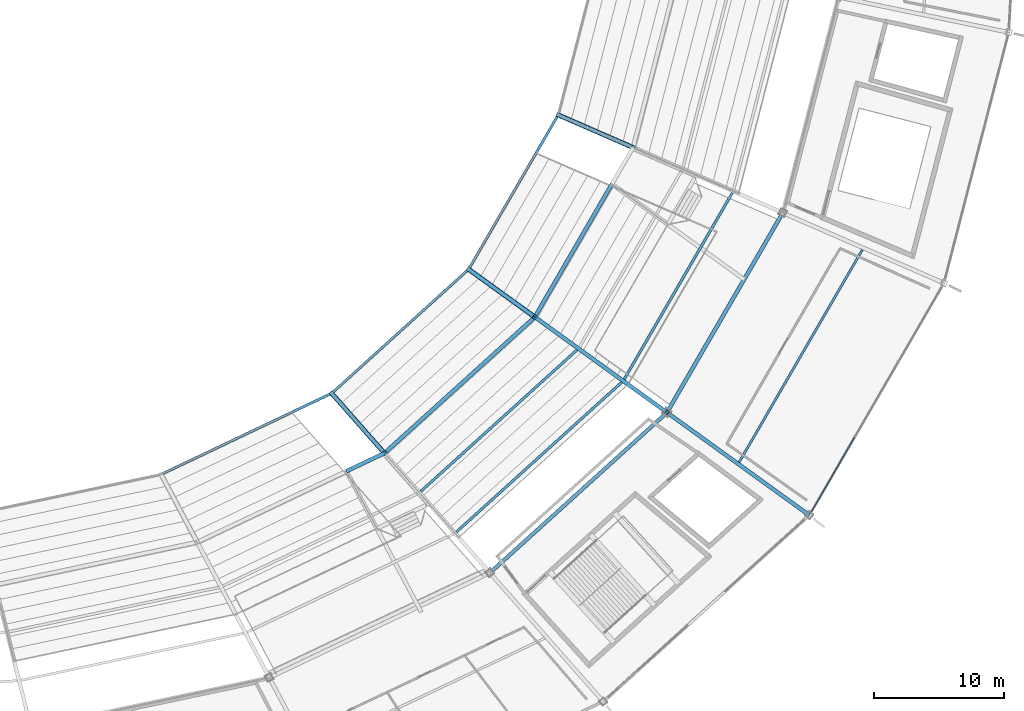
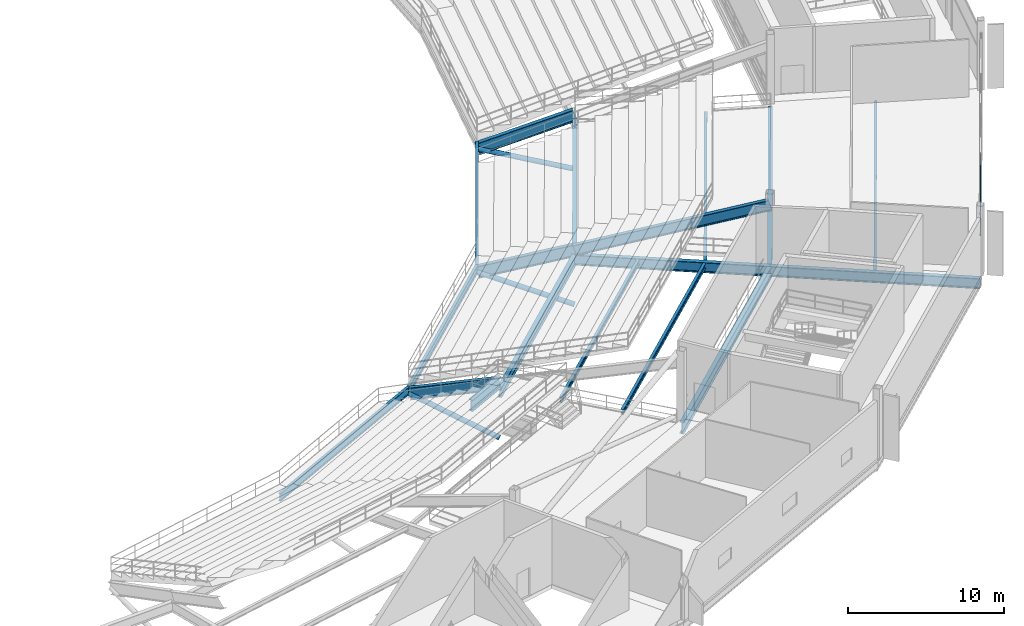
# One storey, part 60 of 186: 18 beams, 5 members, 1 element without a shape of its own.
"""IFC4 building model written with IfcOpenShell, lengths in metres."""

from ifc_helpers import new_model, si_unit, direction, frame, origin, origin_2d, place, context, subcontext, project, spatial, hollow_rectangle, hollow_circle, i_section, extrude, material, layer, layer_set, material_profile, profile_set, type_object, element, aggregate, save


model = new_model("IFC4")

# Units and contexts
model_context = context("Model", 3, precision=1e-05, world=origin(), true_north=direction((0.0, 1.0)))
body_context = subcontext(model_context, "Body", "Model", "MODEL_VIEW")
ifc_project = project(units=[si_unit("LENGTHUNIT", "METRE"), si_unit("AREAUNIT", "SQUARE_METRE"), si_unit("VOLUMEUNIT", "CUBIC_METRE"), si_unit("PLANEANGLEUNIT", "RADIAN"), si_unit("MASSUNIT", "GRAM", prefix="KILO")], contexts=[model_context])

# Site, building, storey
site_placement = place(None, origin())
site = spatial("IfcSite", under=ifc_project, at=site_placement, CompositionType="ELEMENT")
building_placement = place(site_placement, origin())
building = spatial("IfcBuilding", under=site, at=building_placement, Name="Kazemori Nagisa Stadium", CompositionType="ELEMENT")
storey_placement = place(building_placement, frame((0.0, 0.0, 20.39990234375)))
storey = spatial("IfcBuildingStorey", under=building, at=storey_placement, Name="L04", CompositionType="ELEMENT", Elevation=20.39990234375)

# Beams
ifc_material_1 = material(Name="Steel SN490B", Category="steel")
ifc_material_profile_1 = material_profile(ifc_material_1, i_section(OverallWidth=0.300048828125, OverallDepth=0.800048828125, WebThickness=0.013916015625, FlangeThickness=0.02587890625, FilletRadius=0.01806640625, at=origin_2d()), Name="H-800x300x14x26")
ifc_profile_set_1 = profile_set([ifc_material_profile_1], Name="Steel SN490B")
beam_type_1 = type_object("IfcBeamType", Name="Beam_BG-H800", PredefinedType="BEAM", material=ifc_profile_set_1)
beam_1_placement = place(storey_placement, frame((168.696533203125, 50.126953125, -0.699951171875), z_axis=(0.741349160152, 0.6711195294, 0.0), x_axis=(-0.6711195294, 0.741349160152, 0.0)))
element("IfcBeam", 1, at=beam_1_placement, inside=storey, type_object=beam_type_1, Name="Ring girder BG-H800 L04 R1-25", PredefinedType="BEAM", context=body_context, shape_type="SweptSolid", body=[
    extrude(i_section(OverallWidth=0.300048828125, OverallDepth=0.800048828125, WebThickness=0.013916015625, FlangeThickness=0.02587890625, FilletRadius=0.01806640625, at=origin_2d()), origin(), (0.0, 0.0, 1.0), 15.65380859375),
])
beam_2_placement = place(storey_placement, frame((180.301513671875, 60.632568359375, -0.699951171875), z_axis=(0.501613453924, 0.865091869597, 0.0), x_axis=(-0.865091869597, 0.501613453924, 0.0)))
element("IfcBeam", 2, at=beam_2_placement, inside=storey, type_object=beam_type_1, Name="Ring girder BG-H800 L04 R1-26", PredefinedType="BEAM", context=body_context, shape_type="SweptSolid", body=[
    extrude(i_section(OverallWidth=0.300048828125, OverallDepth=0.800048828125, WebThickness=0.013916015625, FlangeThickness=0.02587890625, FilletRadius=0.01806640625, at=origin_2d()), origin(), (0.0, 0.0, 1.0), 15.1201171875),
])
beam_3_placement = place(storey_placement, frame((180.301513671875, 60.632568359375, -0.699951171875), z_axis=(0.810802996314, -0.585319144714, 0.0), x_axis=(0.585319144714, 0.810802996314, 0.0)))
element("IfcBeam", 3, at=beam_3_placement, inside=storey, type_object=beam_type_1, Name="Radial girder BG-H800 L04 R1-R2-26", PredefinedType="BEAM", context=body_context, shape_type="SweptSolid", body=[
    extrude(i_section(OverallWidth=0.300048828125, OverallDepth=0.800048828125, WebThickness=0.013916015625, FlangeThickness=0.02587890625, FilletRadius=0.01806640625, at=origin_2d()), origin(), (0.0, 0.0, 1.0), 12.585693359375),
])
beam_4_placement = place(storey_placement, frame((190.506103515625, 53.265869140625, -0.699951171875), z_axis=(0.810787509935, -0.585340596349, 0.0), x_axis=(0.585340596349, 0.810787509935, 0.0)))
element("IfcBeam", 4, at=beam_4_placement, inside=storey, type_object=beam_type_1, Name="Radial girder BG-H800 L04 R2-R3-26", PredefinedType="BEAM", context=body_context, shape_type="SweptSolid", body=[
    extrude(i_section(OverallWidth=0.300048828125, OverallDepth=0.800048828125, WebThickness=0.013916015625, FlangeThickness=0.02587890625, FilletRadius=0.01806640625, at=origin_2d()), origin(), (0.0, 0.0, 1.0), 13.5537109375),
])
ifc_material_profile_2 = material_profile(ifc_material_1, i_section(OverallWidth=0.300048828125, OverallDepth=0.89990234375, WebThickness=0.01611328125, FlangeThickness=0.028076171875, FilletRadius=0.01806640625, at=origin_2d()), Name="H-900x300x16x28")
ifc_profile_set_2 = profile_set([ifc_material_profile_2], Name="Steel SN490B")
beam_type_2 = type_object("IfcBeamType", Name="Beam_BG-H900", PredefinedType="BEAM", material=ifc_profile_set_2)
beam_5_placement = place(storey_placement, frame((176.834228515625, 40.88916015625, -0.75), z_axis=(0.741349142139, 0.671119549298, 0.0), x_axis=(-0.671119549298, 0.741349142139, 0.0)))
element("IfcBeam", 5, at=beam_5_placement, inside=storey, type_object=beam_type_2, Name="Ring girder BG-H900 L04 R2-25", PredefinedType="BEAM", context=body_context, shape_type="SweptSolid", body=[
    extrude(i_section(OverallWidth=0.300048828125, OverallDepth=0.89990234375, WebThickness=0.01611328125, FlangeThickness=0.028076171875, FilletRadius=0.01806640625, at=origin_2d()), origin(), (0.0, 0.0, 1.0), 18.44189453125),
])
beam_6_placement = place(storey_placement, frame((190.506103515625, 53.265869140625, -0.75), z_axis=(0.501606704589, 0.865095783085, 0.0), x_axis=(-0.865095783085, 0.501606704589, 0.0)))
element("IfcBeam", 6, at=beam_6_placement, inside=storey, type_object=beam_type_2, Name="Ring girder BG-H900 L04 R2-26", PredefinedType="BEAM", context=body_context, shape_type="SweptSolid", body=[
    extrude(i_section(OverallWidth=0.300048828125, OverallDepth=0.89990234375, WebThickness=0.01611328125, FlangeThickness=0.028076171875, FilletRadius=0.01806640625, at=origin_2d()), origin(), (0.0, 0.0, 1.0), 17.8125),
])
ifc_material_profile_3 = material_profile(ifc_material_1, i_section(OverallWidth=0.300048828125, OverallDepth=0.89990234375, WebThickness=0.01806640625, FlangeThickness=0.031982421875, FilletRadius=0.01806640625, at=origin_2d()), Name="H-900x300x18x32")
ifc_profile_set_3 = profile_set([ifc_material_profile_3], Name="Steel SN490B")
beam_type_3 = type_object("IfcBeamType", Name="Beam_BG-TR900", PredefinedType="BEAM", material=ifc_profile_set_3)
beam_7_placement = place(storey_placement, frame((165.760986328125, 48.732177734375, 0.150146484375), z_axis=(0.903230918353, 0.429154876626, 0.0), x_axis=(-0.429154876626, 0.903230918353, 0.0)))
element("IfcBeam", 7, at=beam_7_placement, inside=storey, type_object=beam_type_3, Name="Upper vomitory inner sill girder B24", PredefinedType="BEAM", context=body_context, shape_type="SweptSolid", body=[
    extrude(i_section(OverallWidth=0.300048828125, OverallDepth=0.89990234375, WebThickness=0.01806640625, FlangeThickness=0.031982421875, FilletRadius=0.01806640625, at=origin_2d()), origin(), (0.0, 0.0, 1.0), 3.25),
])
ifc_material_profile_4 = material_profile(ifc_material_1, i_section(OverallWidth=0.175048828125, OverallDepth=0.35009765625, WebThickness=0.007080078125, FlangeThickness=0.010986328125, FilletRadius=0.012939453125, at=origin_2d()), Name="H-350x175x7x11")
ifc_profile_set_4 = profile_set([ifc_material_profile_4], Name="Steel SN490B")
beam_type_4 = type_object("IfcBeamType", Name="Beam_BJ-H350", PredefinedType="JOIST", material=ifc_profile_set_4)
beam_8_placement = place(storey_placement, frame((196.073486328125, 49.424560546875, -0.474853515625), z_axis=(0.501615441037, 0.86509071739, 0.0), x_axis=(-0.86509071739, 0.501615441037, 0.0)))
element("IfcBeam", 8, at=beam_8_placement, inside=storey, type_object=beam_type_4, Name="Outer bay joist BJ-H350 L04 B26", PredefinedType="JOIST", context=body_context, shape_type="SweptSolid", body=[
    extrude(i_section(OverallWidth=0.175048828125, OverallDepth=0.35009765625, WebThickness=0.007080078125, FlangeThickness=0.010986328125, FilletRadius=0.012939453125, at=origin_2d()), origin(), (0.0, 0.0, 1.0), 18.972412109375),
])
ifc_material_profile_5 = material_profile(ifc_material_1, i_section(OverallWidth=0.199951171875, OverallDepth=0.39990234375, WebThickness=0.008056640625, FlangeThickness=0.012939453125, FilletRadius=0.012939453125, at=origin_2d()), Name="H-400x200x8x13")
ifc_profile_set_5 = profile_set([ifc_material_profile_5], Name="Steel SN490B")
beam_type_5 = type_object("IfcBeamType", Name="Beam_BJ-H400", PredefinedType="JOIST", material=ifc_profile_set_5)
beam_9_placement = place(storey_placement, frame((171.495849609375, 47.168701171875, -0.5), z_axis=(0.741343259913, 0.671126047015, 0.0), x_axis=(-0.671126047015, 0.741343259913, 0.0)))
element("IfcBeam", 9, at=beam_9_placement, inside=storey, type_object=beam_type_5, Name="Concourse joist BJ-H400 L04 B25-1", PredefinedType="JOIST", context=body_context, shape_type="SweptSolid", body=[
    extrude(i_section(OverallWidth=0.199951171875, OverallDepth=0.39990234375, WebThickness=0.008056640625, FlangeThickness=0.012939453125, FilletRadius=0.012939453125, at=origin_2d()), origin(), (0.0, 0.0, 1.0), 16.285888671875),
])
beam_10_placement = place(storey_placement, frame((174.25, 44.042236328125, -0.5), z_axis=(0.741354140692, 0.671114027628, 0.0), x_axis=(-0.671114027628, 0.741354140692, 0.0)))
element("IfcBeam", 10, at=beam_10_placement, inside=storey, type_object=beam_type_5, Name="Concourse joist BJ-H400 L04 B25-2", PredefinedType="JOIST", context=body_context, shape_type="SweptSolid", body=[
    extrude(i_section(OverallWidth=0.199951171875, OverallDepth=0.39990234375, WebThickness=0.008056640625, FlangeThickness=0.012939453125, FilletRadius=0.012939453125, at=origin_2d()), origin(), (0.0, 0.0, 1.0), 17.2294921875),
])
beam_11_placement = place(storey_placement, frame((187.203369140625, 55.827880859375, -0.5), z_axis=(0.501611321485, 0.865093106063, 0.0), x_axis=(-0.865093106063, 0.501611321485, 0.0)))
element("IfcBeam", 11, at=beam_11_placement, inside=storey, type_object=beam_type_5, Name="Concourse joist BJ-H400 L04 B26-2", PredefinedType="JOIST", context=body_context, shape_type="SweptSolid", body=[
    extrude(i_section(OverallWidth=0.199951171875, OverallDepth=0.39990234375, WebThickness=0.008056640625, FlangeThickness=0.012939453125, FilletRadius=0.012939453125, at=origin_2d()), origin(), (0.0, 0.0, 1.0), 16.6318359375),
])
ifc_material_profile_6 = material_profile(ifc_material_1, i_section(OverallWidth=0.199951171875, OverallDepth=0.60009765625, WebThickness=0.010986328125, FlangeThickness=0.01708984375, FilletRadius=0.012939453125, at=origin_2d()), Name="H-600x200x11x17")
ifc_profile_set_6 = profile_set([ifc_material_profile_6], Name="Steel SN490B")
beam_type_6 = type_object("IfcBeamType", Name="Beam_BS-H600", PredefinedType="SPANDREL", material=ifc_profile_set_6)
beam_12_placement = place(storey_placement, frame((151.465087890625, 48.4912109375, -1.885009765625), z_axis=(0.903213541292, 0.429191447757, 0.0), x_axis=(-0.429191447757, 0.903213541292, 0.0)))
element("IfcBeam", 12, at=beam_12_placement, inside=storey, type_object=beam_type_6, Name="Upper tier front ring beam 24", PredefinedType="SPANDREL", context=body_context, shape_type="SweptSolid", body=[
    extrude(i_section(OverallWidth=0.199951171875, OverallDepth=0.60009765625, WebThickness=0.010986328125, FlangeThickness=0.01708984375, FilletRadius=0.012939453125, at=origin_2d()), origin(), (0.0, 0.0, 1.0), 14.572998046875),
])
beam_13_placement = place(storey_placement, frame((164.627685546875, 54.745849609375, -1.885009765625), z_axis=(0.7413568829, 0.671110998402, 0.0), x_axis=(-0.671110998402, 0.7413568829, 0.0)))
element("IfcBeam", 13, at=beam_13_placement, inside=storey, type_object=beam_type_6, Name="Upper tier front ring beam 25", PredefinedType="SPANDREL", context=body_context, shape_type="SweptSolid", body=[
    extrude(i_section(OverallWidth=0.199951171875, OverallDepth=0.60009765625, WebThickness=0.010986328125, FlangeThickness=0.01708984375, FilletRadius=0.012939453125, at=origin_2d()), origin(), (0.0, 0.0, 1.0), 14.260009765625),
])
beam_14_placement = place(storey_placement, frame((175.199462890625, 64.31591796875, -1.885009765625), z_axis=(0.501605611908, 0.865096416651, 0.0), x_axis=(-0.865096416651, 0.501605611908, 0.0)))
element("IfcBeam", 14, at=beam_14_placement, inside=storey, type_object=beam_type_6, Name="Upper tier front ring beam 26", PredefinedType="SPANDREL", context=body_context, shape_type="SweptSolid", body=[
    extrude(i_section(OverallWidth=0.199951171875, OverallDepth=0.60009765625, WebThickness=0.010986328125, FlangeThickness=0.01708984375, FilletRadius=0.012939453125, at=origin_2d()), origin(), (0.0, 0.0, 1.0), 13.773681640625),
])
ifc_material_profile_7 = material_profile(ifc_material_1, i_section(OverallWidth=0.300048828125, OverallDepth=0.800048828125, WebThickness=0.013916015625, FlangeThickness=0.02587890625, FilletRadius=0.01806640625, at=origin_2d()), Name="H-800x300x14x26")
ifc_profile_set_7 = profile_set([ifc_material_profile_7], Name="Steel SN490B")
beam_type_7 = type_object("IfcBeamType", Name="Beam_RK-ST800", PredefinedType="USERDEFINED", material=ifc_profile_set_7)
beam_15_placement = place(storey_placement, frame((180.301513671875, 60.632568359375, 0.02001953125), z_axis=(0.76480540319, -0.552113456047, 0.332029256096), x_axis=(0.585319144714, 0.810802996314, 0.0)))
element("IfcBeam", 15, at=beam_15_placement, inside=storey, type_object=beam_type_7, Name="Raker beam upper backspan RK3-26B", ObjectType="RAKER BEAM", PredefinedType="USERDEFINED", context=body_context, shape_type="SweptSolid", body=[
    extrude(i_section(OverallWidth=0.300048828125, OverallDepth=0.800048828125, WebThickness=0.013916015625, FlangeThickness=0.02587890625, FilletRadius=0.01806640625, at=origin_2d()), origin(), (0.0, 0.0, 1.0), 13.3427734375),
])
ifc_material_profile_8 = material_profile(ifc_material_1, i_section(OverallWidth=0.300048828125, OverallDepth=0.89990234375, WebThickness=0.01611328125, FlangeThickness=0.028076171875, FilletRadius=0.01806640625, at=origin_2d()), Name="H-900x300x16x28")
ifc_profile_set_8 = profile_set([ifc_material_profile_8], Name="Steel SN490B")
beam_type_8 = type_object("IfcBeamType", Name="Beam_RK-ST900", PredefinedType="USERDEFINED", material=ifc_profile_set_8)
beam_16_placement = place(storey_placement, frame((164.627685546875, 54.745849609375, -2.14990234375), z_axis=(0.623412293651, -0.707688538557, 0.332466606623), x_axis=(0.75037351518, 0.66101406015, 0.0)))
element("IfcBeam", 16, at=beam_16_placement, inside=storey, type_object=beam_type_8, Name="Raker beam upper cantilever RK3-25A", ObjectType="RAKER BEAM", PredefinedType="USERDEFINED", context=body_context, shape_type="SweptSolid", body=[
    extrude(i_section(OverallWidth=0.300048828125, OverallDepth=0.89990234375, WebThickness=0.01611328125, FlangeThickness=0.028076171875, FilletRadius=0.01806640625, at=origin_2d()), origin(), (0.0, 0.0, 1.0), 6.52685546875),
])
beam_17_placement = place(storey_placement, frame((175.199462890625, 64.31591796875, -2.14990234375), z_axis=(0.766497640218, -0.553361560818, 0.325994402635), x_axis=(0.585337557013, 0.810789704147, 0.0)))
element("IfcBeam", 17, at=beam_17_placement, inside=storey, type_object=beam_type_8, Name="Raker beam upper cantilever RK3-26A", ObjectType="RAKER BEAM", PredefinedType="USERDEFINED", context=body_context, shape_type="SweptSolid", body=[
    extrude(i_section(OverallWidth=0.300048828125, OverallDepth=0.89990234375, WebThickness=0.01611328125, FlangeThickness=0.028076171875, FilletRadius=0.01806640625, at=origin_2d()), origin(), (0.0, 0.0, 1.0), 6.65625),
])
beam_18_placement = place(storey_placement, frame((182.1083984375, 76.2314453125, -2.14990234375), z_axis=(0.866757582883, -0.377835251427, 0.325533124727), x_axis=(0.399601278701, 0.916689052002, 0.0)))
element("IfcBeam", 18, at=beam_18_placement, inside=storey, type_object=beam_type_8, Name="Raker beam upper cantilever RK3-27A", ObjectType="RAKER BEAM", PredefinedType="USERDEFINED", context=body_context, shape_type="SweptSolid", body=[
    extrude(i_section(OverallWidth=0.300048828125, OverallDepth=0.89990234375, WebThickness=0.01611328125, FlangeThickness=0.028076171875, FilletRadius=0.01806640625, at=origin_2d()), origin(), (0.0, 0.0, 1.0), 6.665771484375),
])

# Members
ifc_material_2 = material(Name="Steel STK490", Category="steel")
ifc_material_profile_9 = material_profile(ifc_material_2, hollow_circle(Radius=0.177734375, WallThickness=0.0126953125, at=origin_2d()), Name="CHS-355.6x12.7")
ifc_profile_set_9 = profile_set([ifc_material_profile_9], Name="Steel STK490")
member_type_1 = type_object("IfcMemberType", Name="Member_TB-CHS355", PredefinedType="BRACE", material=ifc_profile_set_9)
member_1_placement = place(storey_placement, frame((168.696533203125, 50.126953125, -4.25), z_axis=(-0.625605483799, 0.710178216008, 0.322900418315), x_axis=(-0.75037351518, -0.66101406015, 0.0)))
element("IfcMember", 19, at=member_1_placement, inside=storey, type_object=member_type_1, Name="Upper tier cantilever truss strut UT-25", PredefinedType="BRACE", context=body_context, shape_type="SweptSolid", body=[
    extrude(hollow_circle(Radius=0.177734375, WallThickness=0.0126953125, at=origin_2d()), origin(), (0.0, 0.0, 1.0), 6.50390625),
])
member_2_placement = place(storey_placement, frame((180.301513671875, 60.632568359375, -4.25), z_axis=(-0.769089714942, 0.555232870577, 0.316571429224), x_axis=(-0.585337557013, -0.810789704147, 0.0)))
element("IfcMember", 20, at=member_2_placement, inside=storey, type_object=member_type_1, Name="Upper tier cantilever truss strut UT-26", PredefinedType="BRACE", context=body_context, shape_type="SweptSolid", body=[
    extrude(hollow_circle(Radius=0.177734375, WallThickness=0.0126953125, at=origin_2d()), origin(), (0.0, 0.0, 1.0), 6.6337890625),
])
member_3_placement = place(storey_placement, frame((187.885986328125, 73.712890625, -4.25), z_axis=(-0.869680376802, 0.379109349972, 0.316120456423), x_axis=(-0.399601278701, -0.916689052002, 0.0)))
element("IfcMember", 21, at=member_3_placement, inside=storey, type_object=member_type_1, Name="Upper tier cantilever truss strut UT-27", PredefinedType="BRACE", context=body_context, shape_type="SweptSolid", body=[
    extrude(hollow_circle(Radius=0.177734375, WallThickness=0.0126953125, at=origin_2d()), origin(), (0.0, 0.0, 1.0), 6.643310546875),
])

# Curtain wall, members
ifc_material_3 = material(Name="Anodised aluminium 6063-T5", Category="aluminium")
ifc_layer = layer(ifc_material_3, 0.179931640625, Name="Anodised aluminium 6063-T5", Category="aluminium")
ifc_layer_set = layer_set([ifc_layer], Name="Anodised aluminium 6063-T5")
curtain_wall_type = type_object("IfcCurtainWallType", Name="CW_L04R3_101", PredefinedType="USERDEFINED", material=ifc_layer_set)
curtain_wall_placement = place(storey_placement, origin())
curtain_wall = element("IfcCurtainWall", 22, at=curtain_wall_placement, inside=storey, type_object=curtain_wall_type, Name="Unitised curtain wall CW-L04R3-101 L04", ObjectType="UNITISED CURTAIN WALL", PredefinedType="USERDEFINED")
ifc_material_4 = material(Name="Aluminium 6063-T5 anodised", Category="aluminium")
ifc_material_profile_10 = material_profile(ifc_material_4, hollow_rectangle(XDim=0.070068359375, YDim=0.139892578125, WallThickness=0.00390625, at=origin_2d()), Name="ALU-TRAN-70x140x4")
ifc_profile_set_10 = profile_set([ifc_material_profile_10], Name="Aluminium 6063-T5 anodised")
member_type_2 = type_object("IfcMemberType", Name="Transom_T01", PredefinedType="USERDEFINED", material=ifc_profile_set_10)
member_4_placement = place(storey_placement, frame((201.63330078125, 45.5703125, 2.80859375), z_axis=(0.50161984125, 0.865088165948, 0.0), x_axis=(-0.865088165948, 0.50161984125, 0.0)))
member_4 = element("IfcMember", 23, at=member_4_placement, type_object=member_type_2, Name="Curtain wall transom CW-L04R3-101-T1-mid", ObjectType="TRANSOM", PredefinedType="USERDEFINED", context=body_context, shape_type="SweptSolid", body=[
    extrude(hollow_rectangle(XDim=0.070068359375, YDim=0.139892578125, WallThickness=0.00390625, at=origin_2d()), origin(), (0.0, 0.0, 1.0), 6.694091796875),
])
member_5_placement = place(storey_placement, frame((201.63330078125, 45.5703125, 4.460205078125), z_axis=(0.50161984125, 0.865088165948, 0.0), x_axis=(-0.865088165948, 0.50161984125, 0.0)))
member_5 = element("IfcMember", 24, at=member_5_placement, type_object=member_type_2, Name="Curtain wall transom CW-L04R3-101-T1-head", ObjectType="TRANSOM", PredefinedType="USERDEFINED", context=body_context, shape_type="SweptSolid", body=[
    extrude(hollow_rectangle(XDim=0.070068359375, YDim=0.139892578125, WallThickness=0.00390625, at=origin_2d()), origin(), (0.0, 0.0, 1.0), 6.694091796875),
])
aggregate(curtain_wall, [member_4, member_5])

save(model, "model.ifc")
